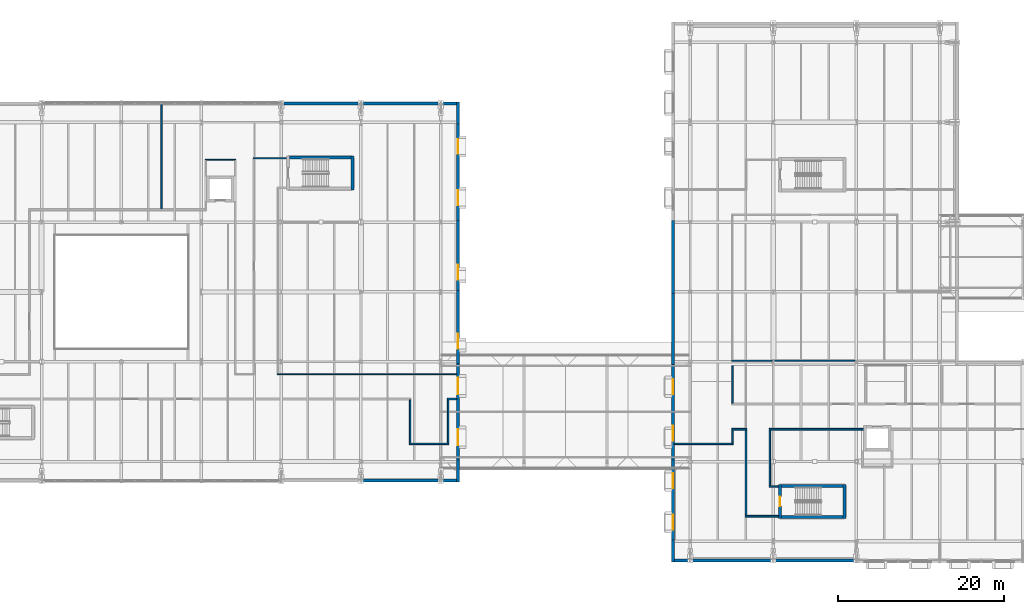
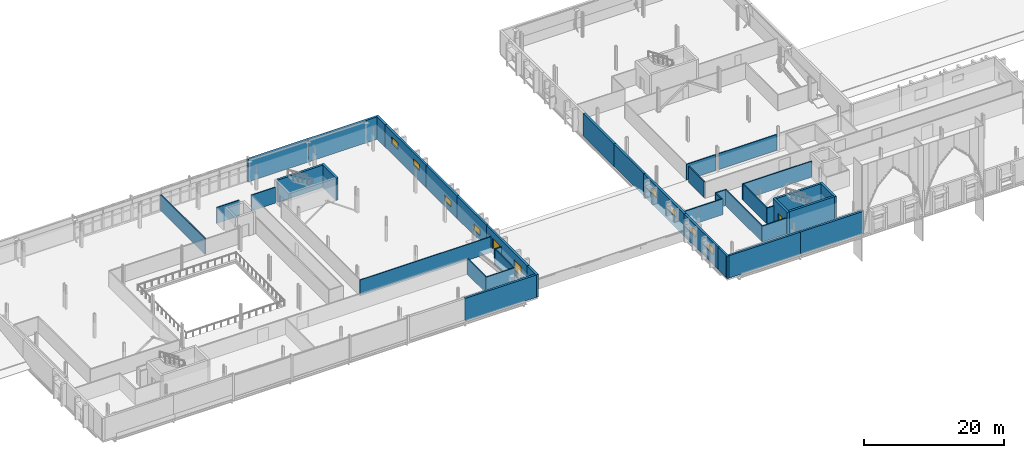
# One storey, part 64 of 90: 41 walls, 10 windows, 1 door, 11 openings.
"""IFC4 building model written with IfcOpenShell, lengths in metres."""

from ifc_helpers import new_model, si_unit, direction, frame, frame_2d, origin, place, context, subcontext, project, spatial, rectangle, extrude, material, layer, layer_set, type_object, element, fill, save


model = new_model("IFC4")

# Units and contexts
model_context = context("Model", 3, precision=1e-05, world=origin(), true_north=direction((0.0, 1.0)))
body_context = subcontext(model_context, "Body", "Model", "MODEL_VIEW")
ifc_project = project(units=[si_unit("LENGTHUNIT", "METRE"), si_unit("AREAUNIT", "SQUARE_METRE"), si_unit("VOLUMEUNIT", "CUBIC_METRE"), si_unit("PLANEANGLEUNIT", "RADIAN"), si_unit("MASSUNIT", "GRAM", prefix="KILO")], contexts=[model_context])

# Site, building, storey
site_placement = place(None, origin())
site = spatial("IfcSite", under=ifc_project, at=site_placement, CompositionType="ELEMENT")
building_placement = place(site_placement, origin())
building = spatial("IfcBuilding", under=site, at=building_placement, Name="Zereglee Splitstone Museum", CompositionType="ELEMENT")
storey_placement = place(building_placement, frame((0.0, 0.0, 4.800048828125)))
storey = spatial("IfcBuildingStorey", under=building, at=storey_placement, Name="L01", CompositionType="ELEMENT", Elevation=4.800048828125)

# Walls
ifc_material_1 = material(Name="Concrete C45/55", Category="concrete")
ifc_layer_1 = layer(ifc_material_1, 0.360107421875)
ifc_layer_set_1 = layer_set([ifc_layer_1], Name="Concrete C45/55")
wall_type_1 = type_object("IfcWallType", Name="CSW-02", PredefinedType="SHEAR", material=ifc_layer_set_1)
wall_1_placement = place(storey_placement, frame((134.580078125, 42.239990234375, 0.0), z_axis=(0.0, 0.0, 1.0), x_axis=(0.0, 1.0, 0.0)))
element("IfcWall", 1, at=wall_1_placement, inside=storey, type_object=wall_type_1, Name="Stair Core Shear Wall ST-03 L01 East", PredefinedType="SHEAR", context=body_context, shape_type="SweptSolid", body=[
    extrude(rectangle(XDim=4.1201171875, YDim=0.360107421875, at=frame_2d((2.06005859375, 0.0))), origin(), (0.0, 0.0, 1.0), 3.8798828125),
])
wall_2_placement = place(storey_placement, frame((127.0, 46.179931640625, 0.0), z_axis=(0.0, 0.0, 1.0), x_axis=(1.0, 0.0, 0.0)))
element("IfcWall", 2, at=wall_2_placement, inside=storey, type_object=wall_type_1, Name="Stair Core Shear Wall ST-03 L01 North", PredefinedType="SHEAR", context=body_context, shape_type="SweptSolid", body=[
    extrude(rectangle(XDim=7.39990234375, YDim=0.360107421875, at=frame_2d((3.699951171875, 0.0))), origin(), (0.0, 0.0, 1.0), 3.8798828125),
])

# Wall, opening, door
wall_3_placement = place(storey_placement, frame((186.02001953125, 2.739990234375, 0.0), z_axis=(0.0, 0.0, 1.0), x_axis=(0.0, 1.0, 0.0)))
wall_3 = element("IfcWall", 3, at=wall_3_placement, inside=storey, type_object=wall_type_1, Name="Stair Core Shear Wall ST-04 L01 West", PredefinedType="SHEAR", context=body_context, shape_type="SweptSolid", body=[
    extrude(rectangle(XDim=4.1201171875, YDim=0.360107421875, at=frame_2d((2.06005859375, 0.0))), origin(), (0.0, 0.0, 1.0), 3.8798828125),
])
opening_1_placement = place(wall_3_placement, frame((1.485107421875, 0.0, 0.0)))
opening_1 = element("IfcOpeningElement", 4, at=opening_1_placement, cuts=wall_3, Name="Opening ID-03", PredefinedType="OPENING", context=body_context, shape_type="SweptSolid", body=[
    extrude(rectangle(XDim=1.14990234375, YDim=2.14990234375, at=frame_2d((0.574951171875, 1.074951171875))), frame((0.0, 0.19482421875, 0.0), z_axis=(0.0, -1.0, 0.0), x_axis=(1.0, 0.0, 0.0)), (0.0, 0.0, 1.0), 0.389892578125),
])
ifc_material_2 = material(Name="Fire-rated steel and Siberian larch leaf", Category="steel")
door_type = type_object("IfcDoorType", Name="ID-03", OperationType="NOTDEFINED", PredefinedType="DOOR", material=ifc_material_2)
door_placement = place(opening_1_placement, origin())
door = element("IfcDoor", 5, at=door_placement, inside=storey, type_object=door_type, Name="Protected Stair Fire Door ST-04 L01", OperationType="SINGLE_SWING_LEFT", OverallHeight=2.14990234375, OverallWidth=1.14990234375, PredefinedType="DOOR", context=body_context, shape_type="SweptSolid", body=[
    extrude(rectangle(XDim=1.14990234375, YDim=2.14990234375, at=frame_2d((0.574951171875, 1.074951171875))), frame((0.0, 0.02490234375, 0.0), z_axis=(0.0, -1.0, 0.0), x_axis=(1.0, 0.0, 0.0)), (0.0, 0.0, 1.0), 0.050048828125),
])
fill(opening_1, door)

# Walls
wall_4_placement = place(storey_placement, frame((193.780029296875, 2.739990234375, 0.0), z_axis=(0.0, 0.0, 1.0), x_axis=(0.0, 1.0, 0.0)))
element("IfcWall", 6, at=wall_4_placement, inside=storey, type_object=wall_type_1, Name="Stair Core Shear Wall ST-04 L01 East", PredefinedType="SHEAR", context=body_context, shape_type="SweptSolid", body=[
    extrude(rectangle(XDim=4.1201171875, YDim=0.360107421875, at=frame_2d((2.06005859375, 0.0))), origin(), (0.0, 0.0, 1.0), 3.8798828125),
])
for number, where, z_axis, x_axis, name in (
    (7, (186.199951171875, 6.679931640625, 0.0), (0.0, 0.0, 1.0), (1.0, 0.0, 0.0), "Stair Core Shear Wall ST-04 L01 North"),
    (8, (186.199951171875, 2.919921875, 0.0), (0.0, 0.0, 1.0), (1.0, 0.0, 0.0), "Stair Core Shear Wall ST-04 L01 South"),
):
    element("IfcWall", number, at=place(storey_placement, frame(where, z_axis=z_axis, x_axis=x_axis)), inside=storey, type_object=wall_type_1, Name=name, PredefinedType="SHEAR", context=body_context, shape_type="SweptSolid", body=[
        extrude(rectangle(XDim=7.400146484375, YDim=0.360107421875, at=frame_2d((3.7001953125, 0.0))), origin(), (0.0, 0.0, 1.0), 3.8798828125),
    ])

# Wall, openings, windows
ifc_material_3 = material(Name="Precast concrete C40/50", Category="concrete")
ifc_layer_2 = layer(ifc_material_3, 0.35009765625)
ifc_layer_set_2 = layer_set([ifc_layer_2], Name="Precast concrete C40/50")
wall_type_2 = type_object("IfcWallType", Name="EW-01", PredefinedType="STANDARD", material=ifc_layer_set_2)
wall_5_placement = place(storey_placement, frame((173.1201171875, 21.659912109375, 0.0), z_axis=(0.0, 0.0, 1.0), x_axis=(0.0, -1.0, 0.0)))
wall_5 = element("IfcWall", 9, at=wall_5_placement, inside=storey, type_object=wall_type_2, Name="Exterior Backup Wall RC4-EW-L01-0015", PredefinedType="STANDARD", context=body_context, shape_type="SweptSolid", body=[
    extrude(rectangle(XDim=12.239990234375, YDim=0.35009765625, at=frame_2d((6.1201171875, 0.0))), origin(), (0.0, 0.0, 1.0), 3.89990234375),
])
opening_2_placement = place(wall_5_placement, frame((2.159912109375, 0.0, 1.800048828125)))
opening_2 = element("IfcOpeningElement", 10, at=opening_2_placement, cuts=wall_5, Name="Opening EW-W12", PredefinedType="OPENING", context=body_context, shape_type="SweptSolid", body=[
    extrude(rectangle(XDim=1.800048828125, YDim=1.10009765625, at=frame_2d((0.89990234375, 0.550048828125))), frame((0.0, 0.18994140625, 0.0), z_axis=(0.0, -1.0, 0.0), x_axis=(1.0, 0.0, 0.0)), (0.0, 0.0, 1.0), 0.3798828125),
])
opening_3_placement = place(wall_5_placement, frame((7.780029296875, 0.0, 1.800048828125)))
opening_3 = element("IfcOpeningElement", 11, at=opening_3_placement, cuts=wall_5, Name="Opening EW-W12", PredefinedType="OPENING", context=body_context, shape_type="SweptSolid", body=[
    extrude(rectangle(XDim=1.800048828125, YDim=1.10009765625, at=frame_2d((0.89990234375, 0.550048828125))), frame((0.0, 0.18994140625, 0.0), z_axis=(0.0, -1.0, 0.0), x_axis=(1.0, 0.0, 0.0)), (0.0, 0.0, 1.0), 0.3798828125),
])
ifc_material_4 = material(Name="Thermally broken aluminium frame with triple low-e glazing", Category="aluminium")
window_type_1 = type_object("IfcWindowType", Name="EW-W12", PartitioningType="DOUBLE_PANEL_HORIZONTAL", PredefinedType="WINDOW", material=ifc_material_4)
window_1_placement = place(opening_2_placement, origin())
window_1 = element("IfcWindow", 12, at=window_1_placement, inside=storey, type_object=window_type_1, Name="Mughal Deep-Reveal Gallery Window L01-0001", OverallHeight=1.10009765625, OverallWidth=1.800048828125, PartitioningType="SINGLE_PANEL", PredefinedType="WINDOW", context=body_context, shape_type="SweptSolid", body=[
    extrude(rectangle(XDim=1.800048828125, YDim=1.10009765625, at=frame_2d((0.89990234375, 0.550048828125))), frame((0.0, 0.030029296875, 0.0), z_axis=(0.0, -1.0, 0.0), x_axis=(1.0, 0.0, 0.0)), (0.0, 0.0, 1.0), 0.06005859375),
])
fill(opening_2, window_1)
window_2_placement = place(opening_3_placement, origin())
window_2 = element("IfcWindow", 13, at=window_2_placement, inside=storey, type_object=window_type_1, Name="Mughal Deep-Reveal Gallery Window L01-0002", OverallHeight=1.10009765625, OverallWidth=1.800048828125, PartitioningType="SINGLE_PANEL", PredefinedType="WINDOW", context=body_context, shape_type="SweptSolid", body=[
    extrude(rectangle(XDim=1.800048828125, YDim=1.10009765625, at=frame_2d((0.89990234375, 0.550048828125))), frame((0.0, 0.030029296875, 0.0), z_axis=(0.0, -1.0, 0.0), x_axis=(1.0, 0.0, 0.0)), (0.0, 0.0, 1.0), 0.06005859375),
])
fill(opening_3, window_2)

wall_6_placement = place(storey_placement, frame((173.1201171875, 9.780029296875, 0.0), z_axis=(0.0, 0.0, 1.0), x_axis=(0.0, -1.0, 0.0)))
wall_6 = element("IfcWall", 14, at=wall_6_placement, inside=storey, type_object=wall_type_2, Name="Exterior Backup Wall RC4-EW-L01-0016", PredefinedType="STANDARD", context=body_context, shape_type="SweptSolid", body=[
    extrude(rectangle(XDim=9.9599609375, YDim=0.35009765625, at=frame_2d((4.97998046875, 0.0))), origin(), (0.0, 0.0, 1.0), 3.89990234375),
])
opening_4_placement = place(wall_6_placement, frame((1.590087890625, 0.0, 1.800048828125)))
opening_4 = element("IfcOpeningElement", 15, at=opening_4_placement, cuts=wall_6, Name="Opening EW-W12", PredefinedType="OPENING", context=body_context, shape_type="SweptSolid", body=[
    extrude(rectangle(XDim=1.800048828125, YDim=1.10009765625, at=frame_2d((0.89990234375, 0.550048828125))), frame((0.0, 0.18994140625, 0.0), z_axis=(0.0, -1.0, 0.0), x_axis=(1.0, 0.0, 0.0)), (0.0, 0.0, 1.0), 0.3798828125),
])
opening_5_placement = place(wall_6_placement, frame((6.570068359375, 0.0, 1.800048828125)))
opening_5 = element("IfcOpeningElement", 16, at=opening_5_placement, cuts=wall_6, Name="Opening EW-W12", PredefinedType="OPENING", context=body_context, shape_type="SweptSolid", body=[
    extrude(rectangle(XDim=1.800048828125, YDim=1.10009765625, at=frame_2d((0.89990234375, 0.550048828125))), frame((0.0, 0.18994140625, 0.0), z_axis=(0.0, -1.0, 0.0), x_axis=(1.0, 0.0, 0.0)), (0.0, 0.0, 1.0), 0.3798828125),
])
window_3_placement = place(opening_4_placement, origin())
window_3 = element("IfcWindow", 17, at=window_3_placement, inside=storey, type_object=window_type_1, Name="Mughal Deep-Reveal Gallery Window L01-0003", OverallHeight=1.10009765625, OverallWidth=1.800048828125, PartitioningType="SINGLE_PANEL", PredefinedType="WINDOW", context=body_context, shape_type="SweptSolid", body=[
    extrude(rectangle(XDim=1.800048828125, YDim=1.10009765625, at=frame_2d((0.89990234375, 0.550048828125))), frame((0.0, 0.030029296875, 0.0), z_axis=(0.0, -1.0, 0.0), x_axis=(1.0, 0.0, 0.0)), (0.0, 0.0, 1.0), 0.06005859375),
])
fill(opening_4, window_3)
window_4_placement = place(opening_5_placement, origin())
window_4 = element("IfcWindow", 18, at=window_4_placement, inside=storey, type_object=window_type_1, Name="Mughal Deep-Reveal Gallery Window L01-0004", OverallHeight=1.10009765625, OverallWidth=1.800048828125, PartitioningType="SINGLE_PANEL", PredefinedType="WINDOW", context=body_context, shape_type="SweptSolid", body=[
    extrude(rectangle(XDim=1.800048828125, YDim=1.10009765625, at=frame_2d((0.89990234375, 0.550048828125))), frame((0.0, 0.030029296875, 0.0), z_axis=(0.0, -1.0, 0.0), x_axis=(1.0, 0.0, 0.0)), (0.0, 0.0, 1.0), 0.06005859375),
])
fill(opening_5, window_4)

# Walls
wall_7_placement = place(storey_placement, frame((173.1201171875, 0.179931640625, 0.0), z_axis=(0.0, 0.0, 1.0), x_axis=(0.0, -1.0, 0.0)))
element("IfcWall", 19, at=wall_7_placement, inside=storey, type_object=wall_type_2, Name="Exterior Backup Wall RC4-EW-L01-0017", PredefinedType="STANDARD", context=body_context, shape_type="SweptSolid", body=[
    extrude(rectangle(XDim=2.639892578125, YDim=0.35009765625, at=frame_2d((1.31982421875, 0.0))), origin(), (0.0, 0.0, 1.0), 3.89990234375),
])
wall_8_placement = place(storey_placement, frame((172.93994140625, -2.280029296875, 0.0), z_axis=(0.0, 0.0, 1.0), x_axis=(1.0, 0.0, 0.0)))
element("IfcWall", 20, at=wall_8_placement, inside=storey, type_object=wall_type_2, Name="Exterior Backup Wall RC4-EW-L01-0018", PredefinedType="STANDARD", context=body_context, shape_type="SweptSolid", body=[
    extrude(rectangle(XDim=12.43994140625, YDim=0.35009765625, at=frame_2d((6.219970703125, 0.0))), origin(), (0.0, 0.0, 1.0), 3.89990234375),
])
wall_9_placement = place(storey_placement, frame((185.02001953125, -2.280029296875, 0.0), z_axis=(0.0, 0.0, 1.0), x_axis=(1.0, 0.0, 0.0)))
element("IfcWall", 21, at=wall_9_placement, inside=storey, type_object=wall_type_2, Name="Exterior Backup Wall RC4-EW-L01-0019", PredefinedType="STANDARD", context=body_context, shape_type="SweptSolid", body=[
    extrude(rectangle(XDim=10.35986328125, YDim=0.35009765625, at=frame_2d((5.179931640625, 0.0))), origin(), (0.0, 0.0, 1.0), 3.89990234375),
])
wall_10_placement = place(storey_placement, frame((173.1201171875, 38.580078125, 0.0), z_axis=(0.0, 0.0, 1.0), x_axis=(0.0, -1.0, 0.0)))
element("IfcWall", 22, at=wall_10_placement, inside=storey, type_object=wall_type_2, Name="Exterior Backup Wall RC4-EW-L01-0041", PredefinedType="STANDARD", context=body_context, shape_type="SweptSolid", body=[
    extrude(rectangle(XDim=8.760009765625, YDim=0.35009765625, at=frame_2d((4.3798828125, 0.0))), origin(), (0.0, 0.0, 1.0), 3.89990234375),
])
wall_11_placement = place(storey_placement, frame((173.1201171875, 30.179931640625, 0.0), z_axis=(0.0, 0.0, 1.0), x_axis=(0.0, -1.0, 0.0)))
element("IfcWall", 23, at=wall_11_placement, inside=storey, type_object=wall_type_2, Name="Exterior Backup Wall RC4-EW-L01-0042", PredefinedType="STANDARD", context=body_context, shape_type="SweptSolid", body=[
    extrude(rectangle(XDim=8.8798828125, YDim=0.35009765625, at=frame_2d((4.43994140625, 0.0))), origin(), (0.0, 0.0, 1.0), 3.89990234375),
])
wall_12_placement = place(storey_placement, frame((147.4599609375, 52.679931640625, 0.0), z_axis=(0.0, 0.0, 1.0), x_axis=(-1.0, 0.0, 0.0)))
element("IfcWall", 24, at=wall_12_placement, inside=storey, type_object=wall_type_2, Name="Exterior Backup Wall RC4-EW-L01-0066", PredefinedType="STANDARD", context=body_context, shape_type="SweptSolid", body=[
    extrude(rectangle(XDim=12.0400390625, YDim=0.35009765625, at=frame_2d((6.02001953125, 0.0))), origin(), (0.0, 0.0, 1.0), 3.89990234375),
])
wall_13_placement = place(storey_placement, frame((135.780029296875, 52.679931640625, 0.0), z_axis=(0.0, 0.0, 1.0), x_axis=(-1.0, 0.0, 0.0)))
element("IfcWall", 25, at=wall_13_placement, inside=storey, type_object=wall_type_2, Name="Exterior Backup Wall RC4-EW-L01-0067", PredefinedType="STANDARD", context=body_context, shape_type="SweptSolid", body=[
    extrude(rectangle(XDim=9.9599609375, YDim=0.35009765625, at=frame_2d((4.97998046875, 0.0))), origin(), (0.0, 0.0, 1.0), 3.89990234375),
])
wall_14_placement = place(storey_placement, frame((135.419921875, 7.320068359375, 0.0), z_axis=(0.0, 0.0, 1.0), x_axis=(1.0, 0.0, 0.0)))
element("IfcWall", 26, at=wall_14_placement, inside=storey, type_object=wall_type_2, Name="Exterior Backup Wall RC4-EW-L01-0079", PredefinedType="STANDARD", context=body_context, shape_type="SweptSolid", body=[
    extrude(rectangle(XDim=12.0400390625, YDim=0.35009765625, at=frame_2d((6.02001953125, 0.0))), origin(), (0.0, 0.0, 1.0), 3.89990234375),
])
wall_15_placement = place(storey_placement, frame((147.280029296875, 7.139892578125, 0.0), z_axis=(0.0, 0.0, 1.0), x_axis=(0.0, 1.0, 0.0)))
element("IfcWall", 27, at=wall_15_placement, inside=storey, type_object=wall_type_2, Name="Exterior Backup Wall RC4-EW-L01-0080", PredefinedType="STANDARD", context=body_context, shape_type="SweptSolid", body=[
    extrude(rectangle(XDim=2.64013671875, YDim=0.35009765625, at=frame_2d((1.320068359375, 0.0))), origin(), (0.0, 0.0, 1.0), 3.89990234375),
])

# Wall, openings, windows
wall_16_placement = place(storey_placement, frame((147.280029296875, 9.419921875, 0.0), z_axis=(0.0, 0.0, 1.0), x_axis=(0.0, 1.0, 0.0)))
wall_16 = element("IfcWall", 28, at=wall_16_placement, inside=storey, type_object=wall_type_2, Name="Exterior Backup Wall RC4-EW-L01-0081", PredefinedType="STANDARD", context=body_context, shape_type="SweptSolid", body=[
    extrude(rectangle(XDim=12.360107421875, YDim=0.35009765625, at=frame_2d((6.18017578125, 0.0))), origin(), (0.0, 0.0, 1.0), 3.89990234375),
])
opening_6_placement = place(wall_16_placement, frame((2.114990234375, 0.0, 0.89990234375)))
opening_6 = element("IfcOpeningElement", 29, at=opening_6_placement, cuts=wall_16, Name="Opening EW-W19", PredefinedType="OPENING", context=body_context, shape_type="SweptSolid", body=[
    extrude(rectangle(XDim=1.949951171875, YDim=1.800048828125, at=frame_2d((0.97509765625, 0.89990234375))), frame((0.0, 0.18994140625, 0.0), z_axis=(0.0, -1.0, 0.0), x_axis=(1.0, 0.0, 0.0)), (0.0, 0.0, 1.0), 0.3798828125),
])
opening_7_placement = place(wall_16_placement, frame((8.294921875, 0.0, 0.89990234375)))
opening_7 = element("IfcOpeningElement", 30, at=opening_7_placement, cuts=wall_16, Name="Opening EW-W19", PredefinedType="OPENING", context=body_context, shape_type="SweptSolid", body=[
    extrude(rectangle(XDim=1.949951171875, YDim=1.800048828125, at=frame_2d((0.97509765625, 0.89990234375))), frame((0.0, 0.18994140625, 0.0), z_axis=(0.0, -1.0, 0.0), x_axis=(1.0, 0.0, 0.0)), (0.0, 0.0, 1.0), 0.3798828125),
])
window_type_2 = type_object("IfcWindowType", Name="EW-W19", PartitioningType="DOUBLE_PANEL_VERTICAL", PredefinedType="WINDOW", material=ifc_material_4)
window_5_placement = place(opening_6_placement, origin())
window_5 = element("IfcWindow", 31, at=window_5_placement, inside=storey, type_object=window_type_2, Name="Mughal Deep-Reveal Gallery Window L01-0036", OverallHeight=1.800048828125, OverallWidth=1.949951171875, PartitioningType="SINGLE_PANEL", PredefinedType="WINDOW", context=body_context, shape_type="SweptSolid", body=[
    extrude(rectangle(XDim=1.949951171875, YDim=1.800048828125, at=frame_2d((0.97509765625, 0.89990234375))), frame((0.0, 0.030029296875, 0.0), z_axis=(0.0, -1.0, 0.0), x_axis=(1.0, 0.0, 0.0)), (0.0, 0.0, 1.0), 0.06005859375),
])
fill(opening_6, window_5)
window_6_placement = place(opening_7_placement, origin())
window_6 = element("IfcWindow", 32, at=window_6_placement, inside=storey, type_object=window_type_2, Name="Mughal Deep-Reveal Gallery Window L01-0037", OverallHeight=1.800048828125, OverallWidth=1.949951171875, PartitioningType="SINGLE_PANEL", PredefinedType="WINDOW", context=body_context, shape_type="SweptSolid", body=[
    extrude(rectangle(XDim=1.949951171875, YDim=1.800048828125, at=frame_2d((0.97509765625, 0.89990234375))), frame((0.0, 0.030029296875, 0.0), z_axis=(0.0, -1.0, 0.0), x_axis=(1.0, 0.0, 0.0)), (0.0, 0.0, 1.0), 0.06005859375),
])
fill(opening_7, window_6)

# Wall, opening, window
wall_17_placement = place(storey_placement, frame((147.280029296875, 21.419921875, 0.0), z_axis=(0.0, 0.0, 1.0), x_axis=(0.0, 1.0, 0.0)))
wall_17 = element("IfcWall", 33, at=wall_17_placement, inside=storey, type_object=wall_type_2, Name="Exterior Backup Wall RC4-EW-L01-0082", PredefinedType="STANDARD", context=body_context, shape_type="SweptSolid", body=[
    extrude(rectangle(XDim=8.760009765625, YDim=0.35009765625, at=frame_2d((4.3798828125, 0.0))), origin(), (0.0, 0.0, 1.0), 3.89990234375),
])
opening_8_placement = place(wall_17_placement, frame((1.739990234375, 0.0, 0.89990234375)))
opening_8 = element("IfcOpeningElement", 34, at=opening_8_placement, cuts=wall_17, Name="Opening EW-W12", PredefinedType="OPENING", context=body_context, shape_type="SweptSolid", body=[
    extrude(rectangle(XDim=1.800048828125, YDim=1.10009765625, at=frame_2d((0.89990234375, 0.550048828125))), frame((0.0, 0.18994140625, 0.0), z_axis=(0.0, -1.0, 0.0), x_axis=(1.0, 0.0, 0.0)), (0.0, 0.0, 1.0), 0.3798828125),
])
window_7_placement = place(opening_8_placement, origin())
window_7 = element("IfcWindow", 35, at=window_7_placement, inside=storey, type_object=window_type_1, Name="Mughal Deep-Reveal Gallery Window L01-0038", OverallHeight=1.10009765625, OverallWidth=1.800048828125, PartitioningType="SINGLE_PANEL", PredefinedType="WINDOW", context=body_context, shape_type="SweptSolid", body=[
    extrude(rectangle(XDim=1.800048828125, YDim=1.10009765625, at=frame_2d((0.89990234375, 0.550048828125))), frame((0.0, 0.030029296875, 0.0), z_axis=(0.0, -1.0, 0.0), x_axis=(1.0, 0.0, 0.0)), (0.0, 0.0, 1.0), 0.06005859375),
])
fill(opening_8, window_7)

wall_18_placement = place(storey_placement, frame((147.280029296875, 29.820068359375, 0.0), z_axis=(0.0, 0.0, 1.0), x_axis=(0.0, 1.0, 0.0)))
wall_18 = element("IfcWall", 36, at=wall_18_placement, inside=storey, type_object=wall_type_2, Name="Exterior Backup Wall RC4-EW-L01-0083", PredefinedType="STANDARD", context=body_context, shape_type="SweptSolid", body=[
    extrude(rectangle(XDim=8.760009765625, YDim=0.35009765625, at=frame_2d((4.3798828125, 0.0))), origin(), (0.0, 0.0, 1.0), 3.89990234375),
])
opening_9_placement = place(wall_18_placement, frame((1.6650390625, 0.0, 0.89990234375)))
opening_9 = element("IfcOpeningElement", 37, at=opening_9_placement, cuts=wall_18, Name="Opening EW-W12", PredefinedType="OPENING", context=body_context, shape_type="SweptSolid", body=[
    extrude(rectangle(XDim=1.800048828125, YDim=1.10009765625, at=frame_2d((0.89990234375, 0.550048828125))), frame((0.0, 0.18994140625, 0.0), z_axis=(0.0, -1.0, 0.0), x_axis=(1.0, 0.0, 0.0)), (0.0, 0.0, 1.0), 0.3798828125),
])
window_8_placement = place(opening_9_placement, origin())
window_8 = element("IfcWindow", 38, at=window_8_placement, inside=storey, type_object=window_type_1, Name="Mughal Deep-Reveal Gallery Window L01-0039", OverallHeight=1.10009765625, OverallWidth=1.800048828125, PartitioningType="SINGLE_PANEL", PredefinedType="WINDOW", context=body_context, shape_type="SweptSolid", body=[
    extrude(rectangle(XDim=1.800048828125, YDim=1.10009765625, at=frame_2d((0.89990234375, 0.550048828125))), frame((0.0, 0.030029296875, 0.0), z_axis=(0.0, -1.0, 0.0), x_axis=(1.0, 0.0, 0.0)), (0.0, 0.0, 1.0), 0.06005859375),
])
fill(opening_9, window_8)

# Wall, openings, windows
wall_19_placement = place(storey_placement, frame((147.280029296875, 38.219970703125, 0.0), z_axis=(0.0, 0.0, 1.0), x_axis=(0.0, 1.0, 0.0)))
wall_19 = element("IfcWall", 39, at=wall_19_placement, inside=storey, type_object=wall_type_2, Name="Exterior Backup Wall RC4-EW-L01-0084", PredefinedType="STANDARD", context=body_context, shape_type="SweptSolid", body=[
    extrude(rectangle(XDim=12.360107421875, YDim=0.35009765625, at=frame_2d((6.18017578125, 0.0))), origin(), (0.0, 0.0, 1.0), 3.89990234375),
])
opening_10_placement = place(wall_19_placement, frame((2.18994140625, 0.0, 1.800048828125)))
opening_10 = element("IfcOpeningElement", 40, at=opening_10_placement, cuts=wall_19, Name="Opening EW-W12", PredefinedType="OPENING", context=body_context, shape_type="SweptSolid", body=[
    extrude(rectangle(XDim=1.800048828125, YDim=1.10009765625, at=frame_2d((0.89990234375, 0.550048828125))), frame((0.0, 0.18994140625, 0.0), z_axis=(0.0, -1.0, 0.0), x_axis=(1.0, 0.0, 0.0)), (0.0, 0.0, 1.0), 0.3798828125),
])
opening_11_placement = place(wall_19_placement, frame((8.3701171875, 0.0, 1.800048828125)))
opening_11 = element("IfcOpeningElement", 41, at=opening_11_placement, cuts=wall_19, Name="Opening EW-W12", PredefinedType="OPENING", context=body_context, shape_type="SweptSolid", body=[
    extrude(rectangle(XDim=1.800048828125, YDim=1.10009765625, at=frame_2d((0.89990234375, 0.550048828125))), frame((0.0, 0.18994140625, 0.0), z_axis=(0.0, -1.0, 0.0), x_axis=(1.0, 0.0, 0.0)), (0.0, 0.0, 1.0), 0.3798828125),
])
window_9_placement = place(opening_10_placement, origin())
window_9 = element("IfcWindow", 42, at=window_9_placement, inside=storey, type_object=window_type_1, Name="Mughal Deep-Reveal Gallery Window L01-0040", OverallHeight=1.10009765625, OverallWidth=1.800048828125, PartitioningType="SINGLE_PANEL", PredefinedType="WINDOW", context=body_context, shape_type="SweptSolid", body=[
    extrude(rectangle(XDim=1.800048828125, YDim=1.10009765625, at=frame_2d((0.89990234375, 0.550048828125))), frame((0.0, 0.030029296875, 0.0), z_axis=(0.0, -1.0, 0.0), x_axis=(1.0, 0.0, 0.0)), (0.0, 0.0, 1.0), 0.06005859375),
])
fill(opening_10, window_9)
window_10_placement = place(opening_11_placement, origin())
window_10 = element("IfcWindow", 43, at=window_10_placement, inside=storey, type_object=window_type_1, Name="Mughal Deep-Reveal Gallery Window L01-0041", OverallHeight=1.10009765625, OverallWidth=1.800048828125, PartitioningType="SINGLE_PANEL", PredefinedType="WINDOW", context=body_context, shape_type="SweptSolid", body=[
    extrude(rectangle(XDim=1.800048828125, YDim=1.10009765625, at=frame_2d((0.89990234375, 0.550048828125))), frame((0.0, 0.030029296875, 0.0), z_axis=(0.0, -1.0, 0.0), x_axis=(1.0, 0.0, 0.0)), (0.0, 0.0, 1.0), 0.06005859375),
])
fill(opening_11, window_10)

# Walls
wall_20_placement = place(storey_placement, frame((147.280029296875, 50.219970703125, 0.0), z_axis=(0.0, 0.0, 1.0), x_axis=(0.0, 1.0, 0.0)))
element("IfcWall", 44, at=wall_20_placement, inside=storey, type_object=wall_type_2, Name="Exterior Backup Wall RC4-EW-L01-0085", PredefinedType="STANDARD", context=body_context, shape_type="SweptSolid", body=[
    extrude(rectangle(XDim=2.64013671875, YDim=0.35009765625, at=frame_2d((1.320068359375, 0.0))), origin(), (0.0, 0.0, 1.0), 3.89990234375),
])
ifc_material_5 = material(Name="Fire-rated gypsum board partition", Category="masonry")
ifc_layer_3 = layer(ifc_material_5, 0.139892578125)
ifc_layer_set_3 = layer_set([ifc_layer_3], Name="Fire-rated gypsum board partition")
wall_type_3 = type_object("IfcWallType", Name="IW-05", PredefinedType="PARTITIONING", material=ifc_layer_set_3)
wall_21_placement = place(storey_placement, frame((125.510009765625, 20.080078125, 0.0), z_axis=(0.0, 0.0, 1.0), x_axis=(1.0, 0.0, 0.0)))
element("IfcWall", 45, at=wall_21_placement, inside=storey, type_object=wall_type_3, Name="Interior Partition L01-0355 (Research Reading Room)", PredefinedType="PARTITIONING", context=body_context, shape_type="SweptSolid", body=[
    extrude(rectangle(XDim=21.594970703125, YDim=0.139892578125, at=frame_2d((10.79736328125, 0.0))), origin(), (0.0, 0.0, 1.0), 2.760009765625),
])
wall_22_placement = place(storey_placement, frame((180.2099609375, 21.719970703125, 0.0), z_axis=(0.0, 0.0, 1.0), x_axis=(1.0, 0.0, 0.0)))
element("IfcWall", 46, at=wall_22_placement, inside=storey, type_object=wall_type_3, Name="Interior Partition L01-0357 (Curatorial Study Room)", PredefinedType="PARTITIONING", context=body_context, shape_type="SweptSolid", body=[
    extrude(rectangle(XDim=4.840087890625, YDim=0.139892578125, at=frame_2d((2.419921875, 0.0))), origin(), (0.0, 0.0, 1.0), 2.760009765625),
])
wall_23_placement = place(storey_placement, frame((185.35009765625, 21.719970703125, 0.0), z_axis=(0.0, 0.0, 1.0), x_axis=(1.0, 0.0, 0.0)))
element("IfcWall", 47, at=wall_23_placement, inside=storey, type_object=wall_type_3, Name="Interior Partition L01-0358 (Curatorial Study Room)", PredefinedType="PARTITIONING", context=body_context, shape_type="SweptSolid", body=[
    extrude(rectangle(XDim=9.699951171875, YDim=0.139892578125, at=frame_2d((4.85009765625, 0.0))), origin(), (0.0, 0.0, 1.0), 2.760009765625),
])
wall_24_placement = place(storey_placement, frame((116.85009765625, 45.8798828125, 0.0), z_axis=(0.0, 0.0, 1.0), x_axis=(1.0, 0.0, 0.0)))
element("IfcWall", 48, at=wall_24_placement, inside=storey, type_object=wall_type_3, Name="Interior Partition L01-0385 (Research Reading Room)", PredefinedType="PARTITIONING", context=body_context, shape_type="SweptSolid", body=[
    extrude(rectangle(XDim=3.699951171875, YDim=0.139892578125, at=frame_2d((1.85009765625, 0.0))), origin(), (0.0, 0.0, 1.0), 2.760009765625),
])
wall_25_placement = place(storey_placement, frame((122.64990234375, 46.080078125, 0.0), z_axis=(0.0, 0.0, 1.0), x_axis=(1.0, 0.0, 0.0)))
element("IfcWall", 49, at=wall_25_placement, inside=storey, type_object=wall_type_3, Name="Interior Partition L01-0387 (Research Reading Room)", PredefinedType="PARTITIONING", context=body_context, shape_type="SweptSolid", body=[
    extrude(rectangle(XDim=3.989990234375, YDim=0.139892578125, at=frame_2d((1.9951171875, 0.0))), origin(), (0.0, 0.0, 1.0), 2.760009765625),
])
ifc_material_6 = material(Name="Gypsum board on acoustic steel stud", Category="steel")
ifc_layer_4 = layer(ifc_material_6, 0.18994140625)
ifc_layer_set_4 = layer_set([ifc_layer_4], Name="Gypsum board on acoustic steel stud")
wall_type_4 = type_object("IfcWallType", Name="IW-02", PredefinedType="PARTITIONING", material=ifc_layer_set_4)
wall_26_placement = place(storey_placement, frame((181.824951171875, 3.02001953125, 0.0), z_axis=(0.0, 0.0, 1.0), x_axis=(1.0, 0.0, 0.0)))
element("IfcWall", 50, at=wall_26_placement, inside=storey, type_object=wall_type_4, Name="Interior Partition L01-0326 (Steppe Ecology Gallery)", PredefinedType="PARTITIONING", context=body_context, shape_type="SweptSolid", body=[
    extrude(rectangle(XDim=4.01513671875, YDim=0.18994140625, at=frame_2d((2.007568359375, 0.0))), origin(), (0.0, 0.0, 1.0), 2.760009765625),
])
wall_27_placement = place(storey_placement, frame((184.68505859375, 6.580078125, 0.0), z_axis=(0.0, 0.0, 1.0), x_axis=(1.0, 0.0, 0.0)))
element("IfcWall", 51, at=wall_27_placement, inside=storey, type_object=wall_type_4, Name="Interior Partition L01-0328 (Steppe Ecology Gallery)", PredefinedType="PARTITIONING", context=body_context, shape_type="SweptSolid", body=[
    extrude(rectangle(XDim=1.155029296875, YDim=0.18994140625, at=frame_2d((0.57763671875, 0.0))), origin(), (0.0, 0.0, 1.0), 2.760009765625),
])
wall_28_placement = place(storey_placement, frame((141.425048828125, 11.719970703125, 0.0), z_axis=(0.0, 0.0, 1.0), x_axis=(1.0, 0.0, 0.0)))
element("IfcWall", 52, at=wall_28_placement, inside=storey, type_object=wall_type_4, Name="Interior Partition L01-0332 (Crystal and Gemology Exhibition Room)", PredefinedType="PARTITIONING", context=body_context, shape_type="SweptSolid", body=[
    extrude(rectangle(XDim=4.75, YDim=0.18994140625, at=frame_2d((2.375, 0.0))), origin(), (0.0, 0.0, 1.0), 2.760009765625),
])
wall_29_placement = place(storey_placement, frame((173.294921875, 11.719970703125, 0.0), z_axis=(0.0, 0.0, 1.0), x_axis=(1.0, 0.0, 0.0)))
element("IfcWall", 53, at=wall_29_placement, inside=storey, type_object=wall_type_4, Name="Interior Partition L01-0333 (Steppe Ecology Gallery)", PredefinedType="PARTITIONING", context=body_context, shape_type="SweptSolid", body=[
    extrude(rectangle(XDim=7.080078125, YDim=0.18994140625, at=frame_2d((3.5400390625, 0.0))), origin(), (0.0, 0.0, 1.0), 2.760009765625),
])
wall_30_placement = place(storey_placement, frame((180.18505859375, 13.47998046875, 0.0), z_axis=(0.0, 0.0, 1.0), x_axis=(1.0, 0.0, 0.0)))
element("IfcWall", 54, at=wall_30_placement, inside=storey, type_object=wall_type_4, Name="Interior Partition L01-0336 (Steppe Ecology Gallery)", PredefinedType="PARTITIONING", context=body_context, shape_type="SweptSolid", body=[
    extrude(rectangle(XDim=1.829833984375, YDim=0.18994140625, at=frame_2d((0.9150390625, 0.0))), origin(), (0.0, 0.0, 1.0), 2.760009765625),
])
wall_31_placement = place(storey_placement, frame((184.68505859375, 13.47998046875, 0.0), z_axis=(0.0, 0.0, 1.0), x_axis=(1.0, 0.0, 0.0)))
element("IfcWall", 55, at=wall_31_placement, inside=storey, type_object=wall_type_4, Name="Interior Partition L01-0337 (Steppe Ecology Gallery)", PredefinedType="PARTITIONING", context=body_context, shape_type="SweptSolid", body=[
    extrude(rectangle(XDim=11.35498046875, YDim=0.18994140625, at=frame_2d((5.677490234375, 0.0))), origin(), (0.0, 0.0, 1.0), 2.760009765625),
])
wall_32_placement = place(storey_placement, frame((145.985107421875, 17.1201171875, 0.0), z_axis=(0.0, 0.0, 1.0), x_axis=(1.0, 0.0, 0.0)))
element("IfcWall", 56, at=wall_32_placement, inside=storey, type_object=wall_type_4, Name="Interior Partition L01-0349 (Crystal and Gemology Exhibition Room)", PredefinedType="PARTITIONING", context=body_context, shape_type="SweptSolid", body=[
    extrude(rectangle(XDim=1.119873046875, YDim=0.18994140625, at=frame_2d((0.56005859375, 0.0))), origin(), (0.0, 0.0, 1.0), 2.760009765625),
])
wall_33_placement = place(storey_placement, frame((111.60009765625, 39.97509765625, 0.0), z_axis=(0.0, 0.0, 1.0), x_axis=(0.0, 1.0, 0.0)))
element("IfcWall", 57, at=wall_33_placement, inside=storey, type_object=wall_type_4, Name="Interior Partition L01-0416 (Temporary Exhibition Gallery)", PredefinedType="PARTITIONING", context=body_context, shape_type="SweptSolid", body=[
    extrude(rectangle(XDim=12.614990234375, YDim=0.18994140625, at=frame_2d((6.3076171875, 0.0))), origin(), (0.0, 0.0, 1.0), 2.760009765625),
])
for number, where, z_axis, x_axis, name in (
    (58, (141.52001953125, 11.81494140625, 0.0), (0.0, 0.0, 1.0), (0.0, 1.0, 0.0), "Interior Partition L01-0423 (Crystal and Gemology Exhibition Room)"),
    (59, (146.080078125, 11.81494140625, 0.0), (0.0, 0.0, 1.0), (0.0, 1.0, 0.0), "Interior Partition L01-0424 (Crystal and Gemology Exhibition Room)"),
):
    element("IfcWall", number, at=place(storey_placement, frame(where, z_axis=z_axis, x_axis=x_axis)), inside=storey, type_object=wall_type_4, Name=name, PredefinedType="PARTITIONING", context=body_context, shape_type="SweptSolid", body=[
        extrude(rectangle(XDim=5.2099609375, YDim=0.18994140625, at=frame_2d((2.60498046875, 0.0))), origin(), (0.0, 0.0, 1.0), 2.760009765625),
    ])
wall_34_placement = place(storey_placement, frame((180.280029296875, 11.81494140625, 0.0), z_axis=(0.0, 0.0, 1.0), x_axis=(0.0, 1.0, 0.0)))
element("IfcWall", 60, at=wall_34_placement, inside=storey, type_object=wall_type_4, Name="Interior Partition L01-0425 (Steppe Ecology Gallery)", PredefinedType="PARTITIONING", context=body_context, shape_type="SweptSolid", body=[
    extrude(rectangle(XDim=1.570068359375, YDim=0.18994140625, at=frame_2d((0.78515625, 0.0))), origin(), (0.0, 0.0, 1.0), 2.760009765625),
])
wall_35_placement = place(storey_placement, frame((180.280029296875, 16.614990234375, 0.0), z_axis=(0.0, 0.0, 1.0), x_axis=(0.0, 1.0, 0.0)))
element("IfcWall", 61, at=wall_35_placement, inside=storey, type_object=wall_type_4, Name="Interior Partition L01-0426 (Altai Fauna Diorama Gallery)", PredefinedType="PARTITIONING", context=body_context, shape_type="SweptSolid", body=[
    extrude(rectangle(XDim=4.530029296875, YDim=0.18994140625, at=frame_2d((2.26513671875, 0.0))), origin(), (0.0, 0.0, 1.0), 2.760009765625),
])
wall_36_placement = place(storey_placement, frame((181.919921875, 3.114990234375, 0.0), z_axis=(0.0, 0.0, 1.0), x_axis=(0.0, 1.0, 0.0)))
element("IfcWall", 62, at=wall_36_placement, inside=storey, type_object=wall_type_4, Name="Interior Partition L01-0428 (Steppe Ecology Gallery)", PredefinedType="PARTITIONING", context=body_context, shape_type="SweptSolid", body=[
    extrude(rectangle(XDim=10.27001953125, YDim=0.18994140625, at=frame_2d((5.135009765625, 0.0))), origin(), (0.0, 0.0, 1.0), 2.760009765625),
])
wall_37_placement = place(storey_placement, frame((184.780029296875, 6.675048828125, 0.0), z_axis=(0.0, 0.0, 1.0), x_axis=(0.0, 1.0, 0.0)))
element("IfcWall", 63, at=wall_37_placement, inside=storey, type_object=wall_type_4, Name="Interior Partition L01-0430 (Steppe Ecology Gallery)", PredefinedType="PARTITIONING", context=body_context, shape_type="SweptSolid", body=[
    extrude(rectangle(XDim=6.7099609375, YDim=0.18994140625, at=frame_2d((3.35498046875, 0.0))), origin(), (0.0, 0.0, 1.0), 2.760009765625),
])

save(model, "model.ifc")
